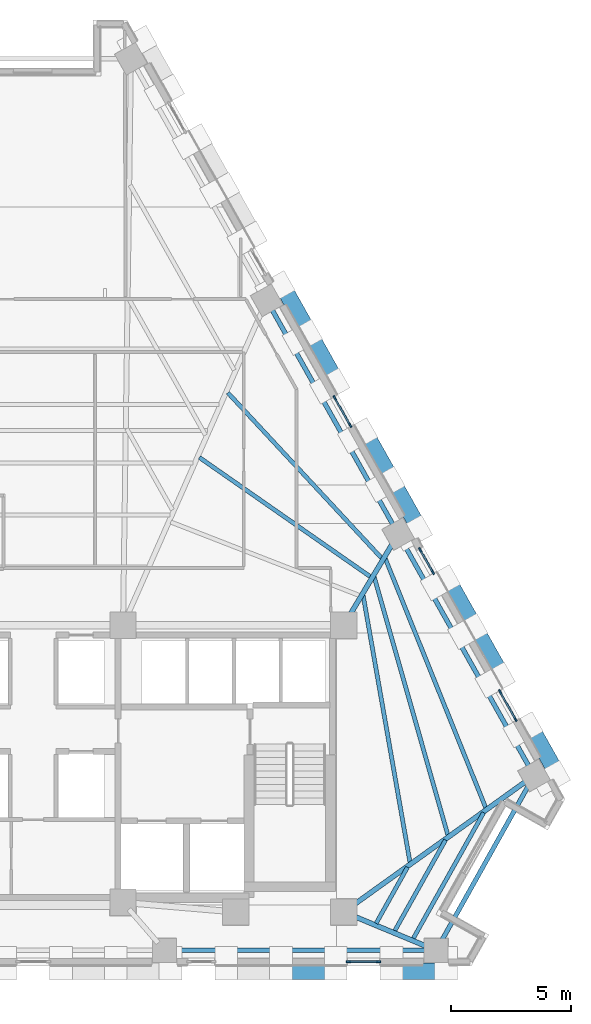
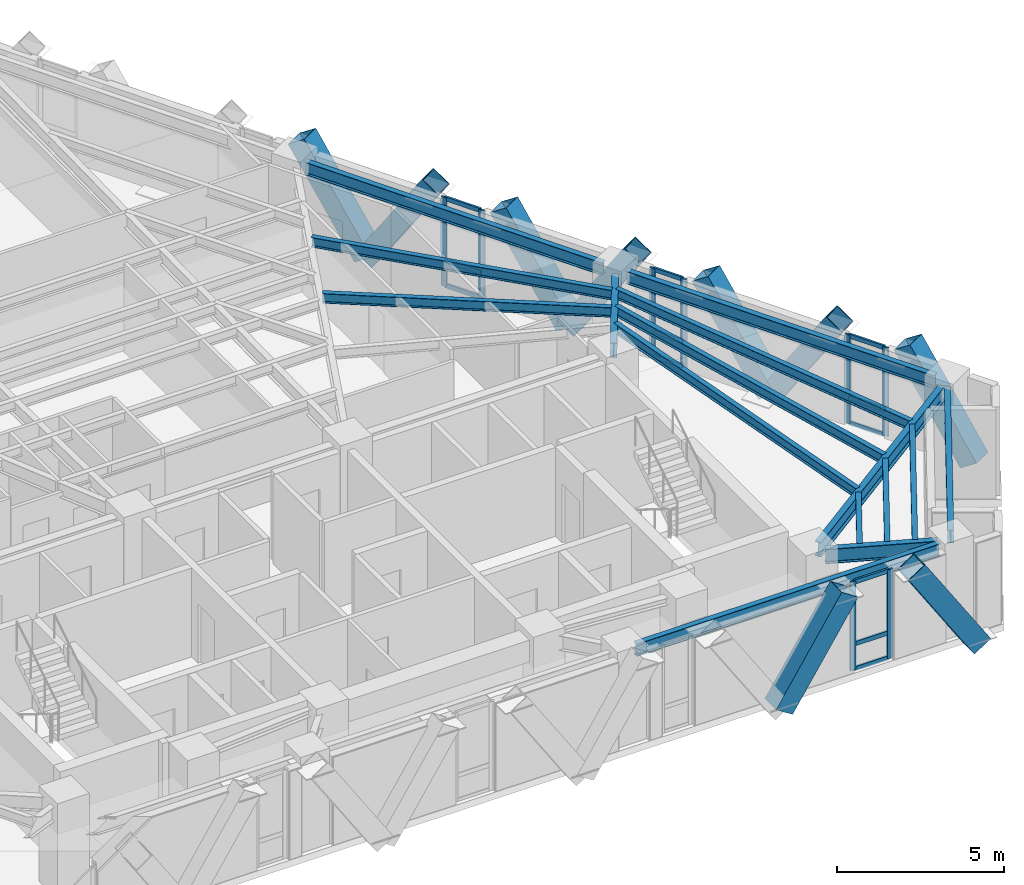
# One storey, part 4 of 13: 29 members, 15 beams, 4 elements without a shape of their own.
"""IFC4 building model written with IfcOpenShell, lengths in metres."""

from ifc_helpers import new_model, si_unit, direction, frame, origin, origin_2d, place, context, subcontext, project, spatial, rectangle, hollow_rectangle, i_section, extrude, material, material_profile, profile_set, type_object, element, aggregate, save


model = new_model("IFC4")

# Units and contexts
model_context = context("Model", 3, precision=1e-05, world=origin(), true_north=direction((0.0, 1.0)))
body_context = subcontext(model_context, "Body", "Model", "MODEL_VIEW")
ifc_project = project(units=[si_unit("LENGTHUNIT", "METRE"), si_unit("AREAUNIT", "SQUARE_METRE"), si_unit("VOLUMEUNIT", "CUBIC_METRE"), si_unit("PLANEANGLEUNIT", "RADIAN"), si_unit("MASSUNIT", "GRAM", prefix="KILO")], contexts=[model_context])

# Site, building, storey
site_placement = place(None, origin())
site = spatial("IfcSite", under=ifc_project, at=site_placement, CompositionType="ELEMENT")
building_placement = place(site_placement, origin())
building = spatial("IfcBuilding", under=site, at=building_placement, Name="Quenlor Broadcast Tower", CompositionType="ELEMENT")
storey_placement = place(building_placement, frame((0.0, 0.0, 161.5)))
storey = spatial("IfcBuildingStorey", under=building, at=storey_placement, Name="L44", CompositionType="ELEMENT", Elevation=161.5)

# Curtain wall, members
ifc_material_1 = material(Name="Architectural Terracotta and Low-E Glazing", Category="masonry")
curtain_wall_type = type_object("IfcCurtainWallType", Name="Unitised Terracotta Curtain Wall System Z3", PredefinedType="NOTDEFINED", material=ifc_material_1)
curtain_wall_1_placement = place(storey_placement, origin())
curtain_wall_1 = element("IfcCurtainWall", 1, at=curtain_wall_1_placement, inside=storey, type_object=curtain_wall_type, Name="L44 Curtain Wall CW3 (L44-SA-G1)", PredefinedType="NOTDEFINED")
ifc_material_2 = material(Name="Aluminium 6063-T6", Category="aluminium")
ifc_material_profile_1 = material_profile(ifc_material_2, rectangle(XDim=0.070068359375, YDim=0.18994140625, at=origin_2d()))
ifc_profile_set_1 = profile_set([ifc_material_profile_1], Name="Aluminium 6063-T6 MULL70x190")
member_type_1 = type_object("IfcMemberType", Name="CW3 Aluminium Mullion MULL_CW3", PredefinedType="MULLION", material=ifc_profile_set_1)
member_1_placement = place(storey_placement, frame((14.409912109375, -18.824951171875, 0.0), z_axis=(0.0, 0.0, 1.0), x_axis=(0.0, -1.0, 0.0)))
member_1 = element("IfcMember", 2, at=member_1_placement, type_object=member_type_1, Name="CW3 mullion 1", PredefinedType="MULLION", context=body_context, shape_type="SweptSolid", body=[
    extrude(rectangle(XDim=0.070068359375, YDim=0.18994140625, at=origin_2d()), origin(), (0.0, 0.0, 1.0), 3.25),
])
member_2_placement = place(storey_placement, frame((13.14208984375, -18.824951171875, 0.0), z_axis=(0.0, 0.0, 1.0), x_axis=(0.0, -1.0, 0.0)))
member_2 = element("IfcMember", 3, at=member_2_placement, type_object=member_type_1, Name="CW3 mullion 2", PredefinedType="MULLION", context=body_context, shape_type="SweptSolid", body=[
    extrude(rectangle(XDim=0.070068359375, YDim=0.18994140625, at=origin_2d()), origin(), (0.0, 0.0, 1.0), 3.25),
])

curtain_wall_2_placement = place(storey_placement, origin())
curtain_wall_2 = element("IfcCurtainWall", 4, at=curtain_wall_2_placement, inside=storey, type_object=curtain_wall_type, Name="L44 Curtain Wall CW3 (L44-NEC-G1)", PredefinedType="NOTDEFINED")
member_3_placement = place(storey_placement, frame((16.137939453125, -1.646728515625, 0.0), z_axis=(0.0, 0.0, 1.0), x_axis=(0.871580169247, 0.490253004657, 0.0)))
member_3 = element("IfcMember", 5, at=member_3_placement, type_object=member_type_1, Name="CW3 mullion 1", PredefinedType="MULLION", context=body_context, shape_type="SweptSolid", body=[
    extrude(rectangle(XDim=0.070068359375, YDim=0.18994140625, at=origin_2d()), origin(), (0.0, 0.0, 1.0), 3.25),
])
member_4_placement = place(storey_placement, frame((16.6689453125, -2.5908203125, 0.0), z_axis=(0.0, 0.0, 1.0), x_axis=(0.871580169247, 0.490253004657, 0.0)))
member_4 = element("IfcMember", 6, at=member_4_placement, type_object=member_type_1, Name="CW3 mullion 2", PredefinedType="MULLION", context=body_context, shape_type="SweptSolid", body=[
    extrude(rectangle(XDim=0.070068359375, YDim=0.18994140625, at=origin_2d()), origin(), (0.0, 0.0, 1.0), 3.25),
])

curtain_wall_3_placement = place(storey_placement, origin())
curtain_wall_3 = element("IfcCurtainWall", 7, at=curtain_wall_3_placement, inside=storey, type_object=curtain_wall_type, Name="L44 Curtain Wall CW3 (L44-NEC-G2)", PredefinedType="NOTDEFINED")
member_5_placement = place(storey_placement, frame((19.47021484375, -7.570556640625, 0.0), z_axis=(0.0, 0.0, 1.0), x_axis=(0.871575537123, 0.490261239636, 0.0)))
member_5 = element("IfcMember", 8, at=member_5_placement, type_object=member_type_1, Name="CW3 mullion 1", PredefinedType="MULLION", context=body_context, shape_type="SweptSolid", body=[
    extrude(rectangle(XDim=0.070068359375, YDim=0.18994140625, at=origin_2d()), origin(), (0.0, 0.0, 1.0), 3.25),
])
member_6_placement = place(storey_placement, frame((20.1171875, -8.720703125, 0.0), z_axis=(0.0, 0.0, 1.0), x_axis=(0.871575537123, 0.490261239636, 0.0)))
member_6 = element("IfcMember", 9, at=member_6_placement, type_object=member_type_1, Name="CW3 mullion 2", PredefinedType="MULLION", context=body_context, shape_type="SweptSolid", body=[
    extrude(rectangle(XDim=0.070068359375, YDim=0.18994140625, at=origin_2d()), origin(), (0.0, 0.0, 1.0), 3.25),
])

curtain_wall_4_placement = place(storey_placement, origin())
curtain_wall_4 = element("IfcCurtainWall", 10, at=curtain_wall_4_placement, inside=storey, type_object=curtain_wall_type, Name="L44 Curtain Wall CW3 (L44-NE-G1)", PredefinedType="NOTDEFINED")
member_7_placement = place(storey_placement, frame((12.573974609375, 4.689208984375, 0.0), z_axis=(0.0, 0.0, 1.0), x_axis=(0.871562085714, 0.490285152484, 0.0)))
member_7 = element("IfcMember", 11, at=member_7_placement, type_object=member_type_1, Name="CW3 mullion 1", PredefinedType="MULLION", context=body_context, shape_type="SweptSolid", body=[
    extrude(rectangle(XDim=0.070068359375, YDim=0.18994140625, at=origin_2d()), origin(), (0.0, 0.0, 1.0), 3.25),
])
member_8_placement = place(storey_placement, frame((13.220947265625, 3.5390625, 0.0), z_axis=(0.0, 0.0, 1.0), x_axis=(0.871562085714, 0.490285152484, 0.0)))
member_8 = element("IfcMember", 12, at=member_8_placement, type_object=member_type_1, Name="CW3 mullion 2", PredefinedType="MULLION", context=body_context, shape_type="SweptSolid", body=[
    extrude(rectangle(XDim=0.070068359375, YDim=0.18994140625, at=origin_2d()), origin(), (0.0, 0.0, 1.0), 3.25),
])

# Member
ifc_material_3 = material(Name="Aluminium 6063-T6", Category="aluminium")
ifc_material_profile_2 = material_profile(ifc_material_3, rectangle(XDim=0.070068359375, YDim=0.155029296875, at=origin_2d()))
ifc_profile_set_2 = profile_set([ifc_material_profile_2], Name="Aluminium 6063-T6 TRAN70x155")
member_type_2 = type_object("IfcMemberType", Name="CW3 Aluminium Transom TRAN_CW3", PredefinedType="USERDEFINED", material=ifc_profile_set_2)
member_9_placement = place(storey_placement, frame((14.375, -18.824951171875, 0.034912109375), z_axis=(-1.0, 0.0, 0.0), x_axis=(0.0, -1.0, 0.0)))
member_9 = element("IfcMember", 13, at=member_9_placement, type_object=member_type_2, Name="CW3 transom 1.1", ObjectType="TRANSOM", PredefinedType="USERDEFINED", context=body_context, shape_type="SweptSolid", body=[
    extrude(rectangle(XDim=0.070068359375, YDim=0.155029296875, at=origin_2d()), origin(), (0.0, 0.0, 1.0), 1.197998046875),
])

member_10_placement = place(storey_placement, frame((14.375, -18.824951171875, 0.949951171875), z_axis=(-1.0, 0.0, 0.0), x_axis=(0.0, -1.0, 0.0)))
member_10 = element("IfcMember", 14, at=member_10_placement, type_object=member_type_2, Name="CW3 transom 1.2", ObjectType="TRANSOM", PredefinedType="USERDEFINED", context=body_context, shape_type="SweptSolid", body=[
    extrude(rectangle(XDim=0.070068359375, YDim=0.155029296875, at=origin_2d()), origin(), (0.0, 0.0, 1.0), 1.197998046875),
])

member_11_placement = place(storey_placement, frame((14.375, -18.824951171875, 3.215087890625), z_axis=(-1.0, 0.0, 0.0), x_axis=(0.0, -1.0, 0.0)))
member_11 = element("IfcMember", 15, at=member_11_placement, type_object=member_type_2, Name="CW3 transom 1.3", ObjectType="TRANSOM", PredefinedType="USERDEFINED", context=body_context, shape_type="SweptSolid", body=[
    extrude(rectangle(XDim=0.070068359375, YDim=0.155029296875, at=origin_2d()), origin(), (0.0, 0.0, 1.0), 1.197998046875),
])

aggregate(curtain_wall_1, [member_1, member_2, member_9, member_10, member_11])

member_12_placement = place(storey_placement, frame((16.1552734375, -1.67724609375, 0.034912109375), z_axis=(0.49015826449, -0.871633452635, 0.0), x_axis=(0.871633452635, 0.49015826449, 0.0)))
member_12 = element("IfcMember", 16, at=member_12_placement, type_object=member_type_2, Name="CW3 transom 1.1", ObjectType="TRANSOM", PredefinedType="USERDEFINED", context=body_context, shape_type="SweptSolid", body=[
    extrude(rectangle(XDim=0.070068359375, YDim=0.155029296875, at=origin_2d()), origin(), (0.0, 0.0, 1.0), 1.01318359375),
])

member_13_placement = place(storey_placement, frame((16.1552734375, -1.67724609375, 0.949951171875), z_axis=(0.49015826449, -0.871633452635, 0.0), x_axis=(0.871633452635, 0.49015826449, 0.0)))
member_13 = element("IfcMember", 17, at=member_13_placement, type_object=member_type_2, Name="CW3 transom 1.2", ObjectType="TRANSOM", PredefinedType="USERDEFINED", context=body_context, shape_type="SweptSolid", body=[
    extrude(rectangle(XDim=0.070068359375, YDim=0.155029296875, at=origin_2d()), origin(), (0.0, 0.0, 1.0), 1.01318359375),
])

member_14_placement = place(storey_placement, frame((16.1552734375, -1.67724609375, 3.215087890625), z_axis=(0.49015826449, -0.871633452635, 0.0), x_axis=(0.871633452635, 0.49015826449, 0.0)))
member_14 = element("IfcMember", 18, at=member_14_placement, type_object=member_type_2, Name="CW3 transom 1.3", ObjectType="TRANSOM", PredefinedType="USERDEFINED", context=body_context, shape_type="SweptSolid", body=[
    extrude(rectangle(XDim=0.070068359375, YDim=0.155029296875, at=origin_2d()), origin(), (0.0, 0.0, 1.0), 1.01318359375),
])

aggregate(curtain_wall_2, [member_3, member_4, member_12, member_13, member_14])

member_15_placement = place(storey_placement, frame((19.4873046875, -7.60107421875, 0.034912109375), z_axis=(0.490363266059, -0.871518139398, 0.0), x_axis=(0.871518139398, 0.490363266059, 0.0)))
member_15 = element("IfcMember", 19, at=member_15_placement, type_object=member_type_2, Name="CW3 transom 1.1", ObjectType="TRANSOM", PredefinedType="USERDEFINED", context=body_context, shape_type="SweptSolid", body=[
    extrude(rectangle(XDim=0.070068359375, YDim=0.155029296875, at=origin_2d()), origin(), (0.0, 0.0, 1.0), 1.249755859375),
])

member_16_placement = place(storey_placement, frame((19.4873046875, -7.60107421875, 0.949951171875), z_axis=(0.490363266059, -0.871518139398, 0.0), x_axis=(0.871518139398, 0.490363266059, 0.0)))
member_16 = element("IfcMember", 20, at=member_16_placement, type_object=member_type_2, Name="CW3 transom 1.2", ObjectType="TRANSOM", PredefinedType="USERDEFINED", context=body_context, shape_type="SweptSolid", body=[
    extrude(rectangle(XDim=0.070068359375, YDim=0.155029296875, at=origin_2d()), origin(), (0.0, 0.0, 1.0), 1.249755859375),
])

member_17_placement = place(storey_placement, frame((19.4873046875, -7.60107421875, 3.215087890625), z_axis=(0.490363266059, -0.871518139398, 0.0), x_axis=(0.871518139398, 0.490363266059, 0.0)))
member_17 = element("IfcMember", 21, at=member_17_placement, type_object=member_type_2, Name="CW3 transom 1.3", ObjectType="TRANSOM", PredefinedType="USERDEFINED", context=body_context, shape_type="SweptSolid", body=[
    extrude(rectangle(XDim=0.070068359375, YDim=0.155029296875, at=origin_2d()), origin(), (0.0, 0.0, 1.0), 1.249755859375),
])

aggregate(curtain_wall_3, [member_5, member_6, member_15, member_16, member_17])

member_18_placement = place(storey_placement, frame((12.591064453125, 4.65869140625, 0.034912109375), z_axis=(0.490363266059, -0.871518139398, 0.0), x_axis=(0.871518139398, 0.490363266059, 0.0)))
member_18 = element("IfcMember", 22, at=member_18_placement, type_object=member_type_2, Name="CW3 transom 1.1", ObjectType="TRANSOM", PredefinedType="USERDEFINED", context=body_context, shape_type="SweptSolid", body=[
    extrude(rectangle(XDim=0.070068359375, YDim=0.155029296875, at=origin_2d()), origin(), (0.0, 0.0, 1.0), 1.249755859375),
])

member_19_placement = place(storey_placement, frame((12.591064453125, 4.65869140625, 0.949951171875), z_axis=(0.490363266059, -0.871518139398, 0.0), x_axis=(0.871518139398, 0.490363266059, 0.0)))
member_19 = element("IfcMember", 23, at=member_19_placement, type_object=member_type_2, Name="CW3 transom 1.2", ObjectType="TRANSOM", PredefinedType="USERDEFINED", context=body_context, shape_type="SweptSolid", body=[
    extrude(rectangle(XDim=0.070068359375, YDim=0.155029296875, at=origin_2d()), origin(), (0.0, 0.0, 1.0), 1.249755859375),
])

member_20_placement = place(storey_placement, frame((12.591064453125, 4.65869140625, 3.215087890625), z_axis=(0.490363266059, -0.871518139398, 0.0), x_axis=(0.871518139398, 0.490363266059, 0.0)))
member_20 = element("IfcMember", 24, at=member_20_placement, type_object=member_type_2, Name="CW3 transom 1.3", ObjectType="TRANSOM", PredefinedType="USERDEFINED", context=body_context, shape_type="SweptSolid", body=[
    extrude(rectangle(XDim=0.070068359375, YDim=0.155029296875, at=origin_2d()), origin(), (0.0, 0.0, 1.0), 1.249755859375),
])

aggregate(curtain_wall_4, [member_7, member_8, member_18, member_19, member_20])

# Members
ifc_material_4 = material(Name="Steel S355", Category="steel")
ifc_material_profile_3 = material_profile(ifc_material_4, hollow_rectangle(XDim=0.679931640625, YDim=0.679931640625, WallThickness=0.02490234375, at=origin_2d()))
ifc_profile_set_3 = profile_set([ifc_material_profile_3], Name="Steel S355 RHS680x680x25")
member_type_3 = type_object("IfcMemberType", Name="Perimeter Diagonal Lattice Brace Z3-Z4 Steel S355 RHS680x25", PredefinedType="BRACE", material=ifc_profile_set_3)
for number, where, z_axis, x_axis, name in (
    (25, (17.206298828125, -19.219970703125, -0.1201171875), (-0.543901560697, 0.0, 0.839149028643), (0.0, -1.0, 0.0), "L44 Perimeter Diamond Lattice S-C1S"),
    (26, (10.345703125, -19.219970703125, -0.1201171875), (0.543901560697, 0.0, 0.839149028643), (0.0, 1.0, 0.0), "L44 Perimeter Diamond Lattice S-C1B"),
):
    element("IfcMember", number, at=place(storey_placement, frame(where, z_axis=z_axis, x_axis=x_axis)), inside=storey, type_object=member_type_3, Name=name, PredefinedType="BRACE", context=body_context, shape_type="SweptSolid", body=[
        extrude(hollow_rectangle(XDim=0.679931640625, YDim=0.679931640625, WallThickness=0.02490234375, at=origin_2d()), origin(), (0.0, 0.0, 1.0), 4.1708984375),
    ])
for number, where, z_axis, x_axis, name in (
    (27, (11.5107421875, 7.385009765625, -0.1201171875), (-0.2705491942, 0.481008661973, 0.833926735766), (-0.871589611547, -0.490236217596, 0.0), "L44 Perimeter Diamond Lattice NE-C2B"),
    (28, (11.524658203125, 7.360595703125, -0.1201171875), (0.2705491942, -0.481008661973, 0.833926735766), (0.871589611547, 0.490236217596, 0.0), "L44 Perimeter Diamond Lattice NE-C3S"),
    (29, (14.958984375, 1.255126953125, -0.1201171875), (-0.2705491942, 0.481008661973, 0.833926735766), (-0.871589611547, -0.490236217596, 0.0), "L44 Perimeter Diamond Lattice NE-C3B"),
    (30, (14.97265625, 1.230712890625, -0.1201171875), (0.27060310517, -0.481001091283, 0.833913610428), (0.871544572467, 0.490316283845, 0.0), "L44 Perimeter Diamond Lattice NE-C4S"),
    (31, (18.406982421875, -4.874755859375, -0.1201171875), (-0.2705491942, 0.481008661973, 0.833926735766), (-0.871589611547, -0.490236217596, 0.0), "L44 Perimeter Diamond Lattice NE-C4B"),
    (32, (18.4208984375, -4.8994140625, -0.1201171875), (0.2705491942, -0.481008661973, 0.833926735766), (0.871589611547, 0.490236217596, 0.0), "L44 Perimeter Diamond Lattice NE-C5S"),
    (33, (21.85498046875, -11.004638671875, -0.1201171875), (-0.2705491942, 0.481008661973, 0.833926735766), (-0.871589611547, -0.490236217596, 0.0), "L44 Perimeter Diamond Lattice NE-C5B"),
):
    element("IfcMember", number, at=place(storey_placement, frame(where, z_axis=z_axis, x_axis=x_axis)), inside=storey, type_object=member_type_3, Name=name, PredefinedType="BRACE", context=body_context, shape_type="SweptSolid", body=[
        extrude(hollow_rectangle(XDim=0.679931640625, YDim=0.679931640625, WallThickness=0.02490234375, at=origin_2d()), origin(), (0.0, 0.0, 1.0), 4.197021484375),
    ])

# Beams
ifc_material_5 = material(Name="Steel S355", Category="steel")
ifc_material_profile_4 = material_profile(ifc_material_5, i_section(OverallWidth=0.19091796875, OverallDepth=0.46044921875, WebThickness=0.010009765625, FlangeThickness=0.01611328125, FilletRadius=0.011474609375, at=origin_2d()))
ifc_profile_set_4 = profile_set([ifc_material_profile_4], Name="Steel S355 460UB82.1")
beam_type_1 = type_object("IfcBeamType", Name="Perimeter Spandrel Beam Z3 Steel S355 460UB82.1", PredefinedType="SPANDREL", material=ifc_profile_set_4)
beam_1_placement = place(storey_placement, frame((5.89111328125, -18.35009765625, 3.019775390625), z_axis=(1.0, 0.0, 0.0), x_axis=(0.0, 1.0, 0.0)))
element("IfcBeam", 34, at=beam_1_placement, inside=storey, type_object=beam_type_1, Name="L44 Spandrel Beam S3-S4", PredefinedType="SPANDREL", context=body_context, shape_type="SweptSolid", body=[
    extrude(i_section(OverallWidth=0.19091796875, OverallDepth=0.46044921875, WebThickness=0.010009765625, FlangeThickness=0.01611328125, FilletRadius=0.011474609375, at=origin_2d()), origin(), (0.0, 0.0, 1.0), 10.50732421875),
])
beam_2_placement = place(storey_placement, frame((17.008544921875, -17.9921875, 3.019775390625), z_axis=(0.488298439934, 0.872676706208, 0.0), x_axis=(-0.872676706208, 0.488298439934, 0.0)))
element("IfcBeam", 35, at=beam_2_placement, inside=storey, type_object=beam_type_1, Name="L44 Spandrel Beam S4-NE1", PredefinedType="SPANDREL", context=body_context, shape_type="SweptSolid", body=[
    extrude(i_section(OverallWidth=0.19091796875, OverallDepth=0.46044921875, WebThickness=0.010009765625, FlangeThickness=0.01611328125, FilletRadius=0.011474609375, at=origin_2d()), origin(), (0.0, 0.0, 1.0), 7.5341796875),
])
beam_3_placement = place(storey_placement, frame((20.686767578125, -10.7021484375, 3.019775390625), z_axis=(-0.490257999604, 0.871577359633, 0.0), x_axis=(-0.871577359633, -0.490257999604, 0.0)))
element("IfcBeam", 36, at=beam_3_placement, inside=storey, type_object=beam_type_1, Name="L44 Spandrel Beam NE1-NE2", PredefinedType="SPANDREL", context=body_context, shape_type="SweptSolid", body=[
    extrude(i_section(OverallWidth=0.19091796875, OverallDepth=0.46044921875, WebThickness=0.010009765625, FlangeThickness=0.01611328125, FilletRadius=0.011474609375, at=origin_2d()), origin(), (0.0, 0.0, 1.0), 10.732666015625),
])
beam_4_placement = place(storey_placement, frame((15.02294921875, -0.63330078125, 3.019775390625), z_axis=(-0.490252288562, 0.871580572041, 0.0), x_axis=(-0.871580572041, -0.490252288562, 0.0)))
element("IfcBeam", 37, at=beam_4_placement, inside=storey, type_object=beam_type_1, Name="L44 Spandrel Beam NE2-NE3", PredefinedType="SPANDREL", context=body_context, shape_type="SweptSolid", body=[
    extrude(i_section(OverallWidth=0.19091796875, OverallDepth=0.46044921875, WebThickness=0.010009765625, FlangeThickness=0.01611328125, FilletRadius=0.011474609375, at=origin_2d()), origin(), (0.0, 0.0, 1.0), 10.359619140625),
])
ifc_material_6 = material(Name="Steel S355", Category="steel")
ifc_material_profile_5 = material_profile(ifc_material_6, i_section(OverallWidth=0.172119140625, OverallDepth=0.358642578125, WebThickness=0.008056640625, FlangeThickness=0.012939453125, FilletRadius=0.011474609375, at=origin_2d()))
ifc_profile_set_5 = profile_set([ifc_material_profile_5], Name="Steel S355 360UB56.7")
beam_type_2 = type_object("IfcBeamType", Name="Tower Composite Joist Z2-Z3 Steel S355 360UB56.7", PredefinedType="JOIST", material=ifc_profile_set_5)
beam_5_placement = place(storey_placement, frame((14.06689453125, -2.7734375, 3.07080078125), z_axis=(-0.82026568394, 0.57198269882, 0.0), x_axis=(-0.57198269882, -0.82026568394, 0.0)))
element("IfcBeam", 38, at=beam_5_placement, inside=storey, type_object=beam_type_2, Name="L44 Secondary Composite Joist 11", PredefinedType="JOIST", context=body_context, shape_type="SweptSolid", body=[
    extrude(i_section(OverallWidth=0.172119140625, OverallDepth=0.358642578125, WebThickness=0.008056640625, FlangeThickness=0.012939453125, FilletRadius=0.011474609375, at=origin_2d()), origin(), (0.0, 0.0, 1.0), 8.698486328125),
])
beam_6_placement = place(storey_placement, frame((14.53271484375, -1.998779296875, 3.07080078125), z_axis=(-0.680873505991, 0.732401030065, 0.0), x_axis=(-0.732401030065, -0.680873505991, 0.0)))
element("IfcBeam", 39, at=beam_6_placement, inside=storey, type_object=beam_type_2, Name="L44 Secondary Composite Joist 12", PredefinedType="JOIST", context=body_context, shape_type="SweptSolid", body=[
    extrude(i_section(OverallWidth=0.172119140625, OverallDepth=0.358642578125, WebThickness=0.008056640625, FlangeThickness=0.012939453125, FilletRadius=0.011474609375, at=origin_2d()), origin(), (0.0, 0.0, 1.0), 9.419189453125),
])
beam_7_placement = place(storey_placement, frame((15.71435546875, -14.679443359375, 3.07080078125), z_axis=(-0.172906811417, 0.984938188195, 0.0), x_axis=(-0.984938188195, -0.172906811417, 0.0)))
element("IfcBeam", 40, at=beam_7_placement, inside=storey, type_object=beam_type_2, Name="L44 Secondary Composite Joist 16", PredefinedType="JOIST", context=body_context, shape_type="SweptSolid", body=[
    extrude(i_section(OverallWidth=0.172119140625, OverallDepth=0.358642578125, WebThickness=0.008056640625, FlangeThickness=0.012939453125, FilletRadius=0.011474609375, at=origin_2d()), origin(), (0.0, 0.0, 1.0), 11.30419921875),
])
beam_8_placement = place(storey_placement, frame((17.293701171875, -13.543212890625, 3.07080078125), z_axis=(-0.274418577045, 0.961610339261, 0.0), x_axis=(-0.961610339261, -0.274418577045, 0.0)))
element("IfcBeam", 41, at=beam_8_placement, inside=storey, type_object=beam_type_2, Name="L44 Secondary Composite Joist 17", PredefinedType="JOIST", context=body_context, shape_type="SweptSolid", body=[
    extrude(i_section(OverallWidth=0.172119140625, OverallDepth=0.358642578125, WebThickness=0.008056640625, FlangeThickness=0.012939453125, FilletRadius=0.011474609375, at=origin_2d()), origin(), (0.0, 0.0, 1.0), 11.191162109375),
])
beam_9_placement = place(storey_placement, frame((18.873291015625, -12.407958984375, 3.07080078125), z_axis=(-0.373824118901, 0.927499610851, 0.0), x_axis=(-0.927499610851, -0.373824118901, 0.0)))
element("IfcBeam", 42, at=beam_9_placement, inside=storey, type_object=beam_type_2, Name="L44 Secondary Composite Joist 18", PredefinedType="JOIST", context=body_context, shape_type="SweptSolid", body=[
    extrude(i_section(OverallWidth=0.172119140625, OverallDepth=0.358642578125, WebThickness=0.008056640625, FlangeThickness=0.012939453125, FilletRadius=0.011474609375, at=origin_2d()), origin(), (0.0, 0.0, 1.0), 11.203125),
])
beam_10_placement = place(storey_placement, frame((14.30078125, -17.22412109375, 3.07080078125), z_axis=(0.488370382241, 0.87263644764, 0.0), x_axis=(-0.87263644764, 0.488370382241, 0.0)))
element("IfcBeam", 43, at=beam_10_placement, inside=storey, type_object=beam_type_2, Name="L44 Secondary Composite Joist 22", PredefinedType="JOIST", context=body_context, shape_type="SweptSolid", body=[
    extrude(i_section(OverallWidth=0.172119140625, OverallDepth=0.358642578125, WebThickness=0.008056640625, FlangeThickness=0.012939453125, FilletRadius=0.011474609375, at=origin_2d()), origin(), (0.0, 0.0, 1.0), 2.680419921875),
])
beam_11_placement = place(storey_placement, frame((15.072509765625, -17.544189453125, 3.07080078125), z_axis=(0.488294103756, 0.872679132463, 0.0), x_axis=(-0.872679132463, 0.488294103756, 0.0)))
element("IfcBeam", 44, at=beam_11_placement, inside=storey, type_object=beam_type_2, Name="L44 Secondary Composite Joist 23", PredefinedType="JOIST", context=body_context, shape_type="SweptSolid", body=[
    extrude(i_section(OverallWidth=0.172119140625, OverallDepth=0.358642578125, WebThickness=0.008056640625, FlangeThickness=0.012939453125, FilletRadius=0.011474609375, at=origin_2d()), origin(), (0.0, 0.0, 1.0), 4.351318359375),
])
beam_12_placement = place(storey_placement, frame((15.84423828125, -17.8642578125, 3.07080078125), z_axis=(0.488308300212, 0.872671188905, 0.0), x_axis=(-0.872671188905, 0.488308300212, 0.0)))
element("IfcBeam", 45, at=beam_12_placement, inside=storey, type_object=beam_type_2, Name="L44 Secondary Composite Joist 24", PredefinedType="JOIST", context=body_context, shape_type="SweptSolid", body=[
    extrude(i_section(OverallWidth=0.172119140625, OverallDepth=0.358642578125, WebThickness=0.008056640625, FlangeThickness=0.012939453125, FilletRadius=0.011474609375, at=origin_2d()), origin(), (0.0, 0.0, 1.0), 6.022216796875),
])
ifc_material_7 = material(Name="Steel S355", Category="steel")
ifc_material_profile_6 = material_profile(ifc_material_7, i_section(OverallWidth=0.208984375, OverallDepth=0.532958984375, WebThickness=0.01025390625, FlangeThickness=0.015625, FilletRadius=0.013916015625, at=origin_2d()))
ifc_profile_set_6 = profile_set([ifc_material_profile_6], Name="Steel S355 530UB92.4")
beam_type_3 = type_object("IfcBeamType", Name="Tower Primary Floor Beam Z3 Steel S355 530UB92.4", PredefinedType="BEAM", material=ifc_profile_set_6)
beam_13_placement = place(storey_placement, frame((16.4296875, -18.19287109375, 2.9833984375), z_axis=(-0.923730294618, 0.383043525993, 0.0), x_axis=(-0.383043525993, -0.923730294618, 0.0)))
element("IfcBeam", 46, at=beam_13_placement, inside=storey, type_object=beam_type_3, Name="L44 Primary Radial Beam S4", PredefinedType="BEAM", context=body_context, shape_type="SweptSolid", body=[
    extrude(i_section(OverallWidth=0.208984375, OverallDepth=0.532958984375, WebThickness=0.01025390625, FlangeThickness=0.015625, FilletRadius=0.013916015625, at=origin_2d()), origin(), (0.0, 0.0, 1.0), 3.386962890625),
])
beam_14_placement = place(storey_placement, frame((20.554443359375, -11.29833984375, 2.9833984375), z_axis=(-0.812728908832, -0.582642017666, 0.0), x_axis=(0.582642017666, -0.812728908832, 0.0)))
element("IfcBeam", 47, at=beam_14_placement, inside=storey, type_object=beam_type_3, Name="L44 Primary Radial Beam NE1", PredefinedType="BEAM", context=body_context, shape_type="SweptSolid", body=[
    extrude(i_section(OverallWidth=0.208984375, OverallDepth=0.532958984375, WebThickness=0.01025390625, FlangeThickness=0.015625, FilletRadius=0.013916015625, at=origin_2d()), origin(), (0.0, 0.0, 1.0), 8.976806640625),
])
beam_15_placement = place(storey_placement, frame((15.013916015625, -1.3427734375, 2.9833984375), z_axis=(-0.512604023694, -0.858625130597, 0.0), x_axis=(0.858625130597, -0.512604023694, 0.0)))
element("IfcBeam", 48, at=beam_15_placement, inside=storey, type_object=beam_type_3, Name="L44 Primary Radial Beam NE2", PredefinedType="BEAM", context=body_context, shape_type="SweptSolid", body=[
    extrude(i_section(OverallWidth=0.208984375, OverallDepth=0.532958984375, WebThickness=0.01025390625, FlangeThickness=0.015625, FilletRadius=0.013916015625, at=origin_2d()), origin(), (0.0, 0.0, 1.0), 3.646484375),
])

save(model, "model.ifc")
